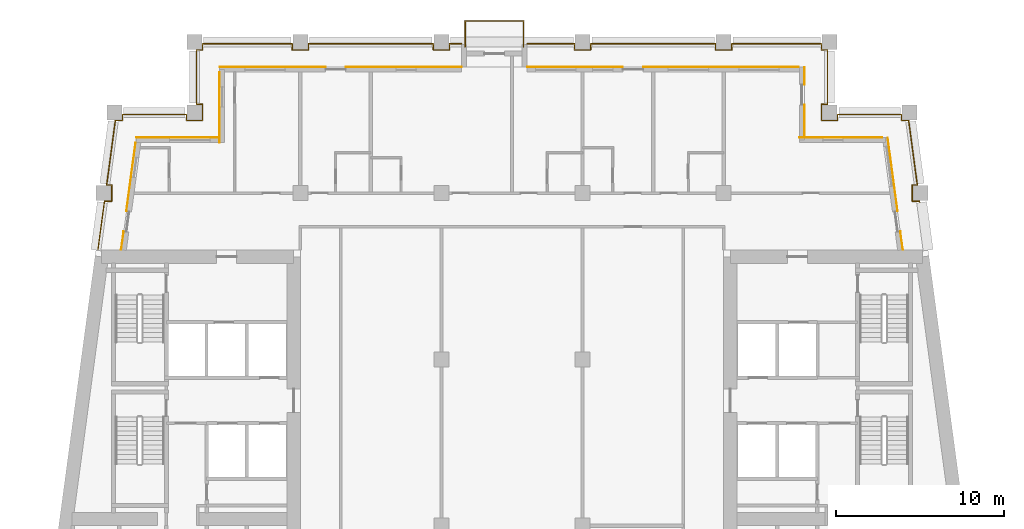
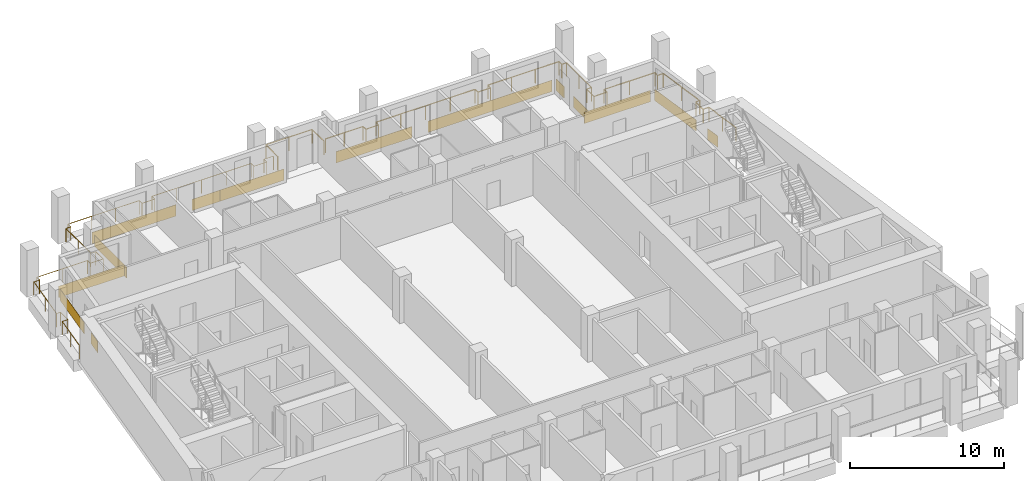
# One storey, part 12 of 13: 14 coverings, 3 railings.
"""IFC4 building model written with IfcOpenShell, lengths in metres."""

from ifc_helpers import new_model, si_unit, direction, frame, origin, origin_2d, place, context, subcontext, project, spatial, rectangle, circle, extrude, material, layer, layer_set, type_object, element, save


model = new_model("IFC4")

# Units and contexts
model_context = context("Model", 3, precision=1e-05, world=origin(), true_north=direction((0.0, 1.0)))
body_context = subcontext(model_context, "Body", "Model", "MODEL_VIEW")
ifc_project = project(units=[si_unit("LENGTHUNIT", "METRE"), si_unit("AREAUNIT", "SQUARE_METRE"), si_unit("VOLUMEUNIT", "CUBIC_METRE"), si_unit("PLANEANGLEUNIT", "RADIAN"), si_unit("MASSUNIT", "GRAM", prefix="KILO")], contexts=[model_context])

# Site, building, storey
site_placement = place(None, origin())
site = spatial("IfcSite", under=ifc_project, at=site_placement, CompositionType="ELEMENT")
building_placement = place(site_placement, origin())
building = spatial("IfcBuilding", under=site, at=building_placement, Name="Candeia Pilgrim Tower and Theatre", CompositionType="ELEMENT")
storey_placement = place(building_placement, frame((0.0, 0.0, 202.199951171875)))
storey = spatial("IfcBuildingStorey", under=building, at=storey_placement, Name="L48", CompositionType="ELEMENT", Elevation=202.199951171875)

# Railings
ifc_material_1 = material(Name="Stainless steel balustrade", Category="steel")
railing_type = type_object("IfcRailingType", Name="G1 loggia guard 1100", PredefinedType="GUARDRAIL", material=ifc_material_1)
railing_1_placement = place(storey_placement, frame((88.758544921875, 132.449951171875, 0.0)))
element("IfcRailing", 1, at=railing_1_placement, inside=storey, type_object=railing_type, Name="Guard L48.2", PredefinedType="GUARDRAIL", context=body_context, shape_type="SweptSolid", body=[
    extrude(circle(Radius=0.02392578125, at=origin_2d()), frame((0.0, 0.0, 1.076171875), z_axis=(0.133450228179, 0.991055516406, 0.0), x_axis=(-0.991055516406, 0.133450228179, 0.0)), (0.0, 0.0, 1.0), 2.89599609375),
    extrude(circle(Radius=0.02392578125, at=origin_2d()), frame((0.386474609375, 2.8701171875, 1.076171875), z_axis=(1.0, 0.0, 0.0), x_axis=(0.0, 1.0, 0.0)), (0.0, 0.0, 1.0), 0.42333984375),
    extrude(circle(Radius=0.02392578125, at=origin_2d()), frame((0.809814453125, 2.8701171875, 1.076171875), z_axis=(0.0, 1.0, 0.0), x_axis=(-1.0, 0.0, 0.0)), (0.0, 0.0, 1.0), 0.9599609375),
    extrude(circle(Radius=0.02392578125, at=origin_2d()), frame((0.809814453125, 3.830078125, 1.076171875), z_axis=(-1.0, 0.0, 0.0), x_axis=(0.0, -1.0, 0.0)), (0.0, 0.0, 1.0), 0.294189453125),
    extrude(circle(Radius=0.02392578125, at=origin_2d()), frame((0.515625, 3.830078125, 1.076171875), z_axis=(0.133389399471, 0.991063705374, 0.0), x_axis=(-0.991063705374, 0.133389399471, 0.0)), (0.0, 0.0, 1.0), 3.874755859375),
    extrude(circle(Radius=0.02392578125, at=origin_2d()), frame((1.032470703125, 7.670166015625, 1.076171875), z_axis=(1.0, 0.0, 0.0), x_axis=(0.0, 1.0, 0.0)), (0.0, 0.0, 1.0), 0.423583984375),
    extrude(circle(Radius=0.02392578125, at=origin_2d()), frame((1.4560546875, 7.670166015625, 1.076171875), z_axis=(0.0, 1.0, 0.0), x_axis=(-1.0, 0.0, 0.0)), (0.0, 0.0, 1.0), 0.35986328125),
    extrude(circle(Radius=0.02392578125, at=origin_2d()), frame((1.4560546875, 8.030029296875, 1.076171875), z_axis=(1.0, 0.0, 0.0), x_axis=(0.0, 1.0, 0.0)), (0.0, 0.0, 1.0), 3.805419921875),
    extrude(circle(Radius=0.02392578125, at=origin_2d()), frame((5.261474609375, 8.030029296875, 1.076171875), z_axis=(0.0, -1.0, 0.0), x_axis=(1.0, 0.0, 0.0)), (0.0, 0.0, 1.0), 0.35986328125),
    extrude(circle(Radius=0.02392578125, at=origin_2d()), frame((5.261474609375, 7.670166015625, 1.076171875), z_axis=(1.0, 0.0, 0.0), x_axis=(0.0, 1.0, 0.0)), (0.0, 0.0, 1.0), 0.9599609375),
    extrude(circle(Radius=0.02392578125, at=origin_2d()), frame((6.221435546875, 7.670166015625, 1.076171875), z_axis=(0.0, 1.0, 0.0), x_axis=(-1.0, 0.0, 0.0)), (0.0, 0.0, 1.0), 0.9599609375),
    extrude(circle(Radius=0.02392578125, at=origin_2d()), frame((6.221435546875, 8.630126953125, 1.076171875), z_axis=(-1.0, 0.0, 0.0), x_axis=(0.0, -1.0, 0.0)), (0.0, 0.0, 1.0), 0.35986328125),
    extrude(circle(Radius=0.02392578125, at=origin_2d()), frame((5.861572265625, 8.630126953125, 1.076171875), z_axis=(0.0, 1.0, 0.0), x_axis=(-1.0, 0.0, 0.0)), (0.0, 0.0, 1.0), 3.239990234375),
    extrude(circle(Radius=0.02392578125, at=origin_2d()), frame((5.861572265625, 11.8701171875, 1.076171875), z_axis=(1.0, 0.0, 0.0), x_axis=(0.0, 1.0, 0.0)), (0.0, 0.0, 1.0), 0.35986328125),
    extrude(circle(Radius=0.02392578125, at=origin_2d()), frame((6.221435546875, 11.8701171875, 1.076171875), z_axis=(0.0, 1.0, 0.0), x_axis=(-1.0, 0.0, 0.0)), (0.0, 0.0, 1.0), 0.35986328125),
    extrude(circle(Radius=0.02392578125, at=origin_2d()), frame((6.221435546875, 12.22998046875, 1.076171875), z_axis=(1.0, 0.0, 0.0), x_axis=(0.0, 1.0, 0.0)), (0.0, 0.0, 1.0), 5.340087890625),
    extrude(circle(Radius=0.02392578125, at=origin_2d()), frame((11.5615234375, 12.22998046875, 1.076171875), z_axis=(0.0, -1.0, 0.0), x_axis=(1.0, 0.0, 0.0)), (0.0, 0.0, 1.0), 0.35986328125),
    extrude(circle(Radius=0.02392578125, at=origin_2d()), frame((11.5615234375, 11.8701171875, 1.076171875), z_axis=(1.0, 0.0, 0.0), x_axis=(0.0, 1.0, 0.0)), (0.0, 0.0, 1.0), 0.9599609375),
    extrude(circle(Radius=0.02392578125, at=origin_2d()), frame((12.521484375, 11.8701171875, 1.076171875), z_axis=(0.0, 1.0, 0.0), x_axis=(-1.0, 0.0, 0.0)), (0.0, 0.0, 1.0), 0.35986328125),
    extrude(circle(Radius=0.02392578125, at=origin_2d()), frame((12.521484375, 12.22998046875, 1.076171875), z_axis=(1.0, 0.0, 0.0), x_axis=(0.0, 1.0, 0.0)), (0.0, 0.0, 1.0), 7.43994140625),
    extrude(circle(Radius=0.02392578125, at=origin_2d()), frame((19.96142578125, 12.22998046875, 1.076171875), z_axis=(0.0, -1.0, 0.0), x_axis=(1.0, 0.0, 0.0)), (0.0, 0.0, 1.0), 0.35986328125),
    extrude(circle(Radius=0.02392578125, at=origin_2d()), frame((19.96142578125, 11.8701171875, 1.076171875), z_axis=(1.0, 0.0, 0.0), x_axis=(0.0, 1.0, 0.0)), (0.0, 0.0, 1.0), 0.9599609375),
    extrude(circle(Radius=0.02392578125, at=origin_2d()), frame((20.92138671875, 11.8701171875, 1.076171875), z_axis=(0.0, 1.0, 0.0), x_axis=(-1.0, 0.0, 0.0)), (0.0, 0.0, 1.0), 0.35986328125),
    extrude(circle(Radius=0.02392578125, at=origin_2d()), frame((20.92138671875, 12.22998046875, 1.076171875), z_axis=(1.0, 0.0, 0.0), x_axis=(0.0, 1.0, 0.0)), (0.0, 0.0, 1.0), 0.719970703125),
    extrude(circle(Radius=0.02099609375, at=origin_2d()), origin(), (0.0, 0.0, 1.0), 1.052001953125),
    extrude(circle(Radius=0.02099609375, at=origin_2d()), frame((0.193359375, 1.43505859375, 0.0)), (0.0, 0.0, 1.0), 1.052001953125),
    extrude(circle(Radius=0.02099609375, at=origin_2d()), frame((0.386474609375, 2.8701171875, 0.0)), (0.0, 0.0, 1.0), 1.052001953125),
    extrude(circle(Radius=0.02099609375, at=origin_2d()), frame((0.809814453125, 2.8701171875, 0.0)), (0.0, 0.0, 1.0), 1.052001953125),
    extrude(circle(Radius=0.02099609375, at=origin_2d()), frame((0.809814453125, 3.830078125, 0.0)), (0.0, 0.0, 1.0), 1.052001953125),
    extrude(circle(Radius=0.02099609375, at=origin_2d()), frame((0.515625, 3.830078125, 0.0)), (0.0, 0.0, 1.0), 1.052001953125),
    extrude(circle(Radius=0.02099609375, at=origin_2d()), frame((0.77392578125, 5.75, 0.0)), (0.0, 0.0, 1.0), 1.052001953125),
    extrude(circle(Radius=0.02099609375, at=origin_2d()), frame((1.032470703125, 7.670166015625, 0.0)), (0.0, 0.0, 1.0), 1.052001953125),
    extrude(circle(Radius=0.02099609375, at=origin_2d()), frame((1.4560546875, 7.670166015625, 0.0)), (0.0, 0.0, 1.0), 1.052001953125),
    extrude(circle(Radius=0.02099609375, at=origin_2d()), frame((1.4560546875, 8.030029296875, 0.0)), (0.0, 0.0, 1.0), 1.052001953125),
    extrude(circle(Radius=0.02099609375, at=origin_2d()), frame((3.35888671875, 8.030029296875, 0.0)), (0.0, 0.0, 1.0), 1.052001953125),
    extrude(circle(Radius=0.02099609375, at=origin_2d()), frame((5.261474609375, 8.030029296875, 0.0)), (0.0, 0.0, 1.0), 1.052001953125),
    extrude(circle(Radius=0.02099609375, at=origin_2d()), frame((5.261474609375, 7.670166015625, 0.0)), (0.0, 0.0, 1.0), 1.052001953125),
    extrude(circle(Radius=0.02099609375, at=origin_2d()), frame((6.221435546875, 7.670166015625, 0.0)), (0.0, 0.0, 1.0), 1.052001953125),
    extrude(circle(Radius=0.02099609375, at=origin_2d()), frame((6.221435546875, 8.630126953125, 0.0)), (0.0, 0.0, 1.0), 1.052001953125),
    extrude(circle(Radius=0.02099609375, at=origin_2d()), frame((5.861572265625, 8.630126953125, 0.0)), (0.0, 0.0, 1.0), 1.052001953125),
    extrude(circle(Radius=0.02099609375, at=origin_2d()), frame((5.861572265625, 10.25, 0.0)), (0.0, 0.0, 1.0), 1.052001953125),
    extrude(circle(Radius=0.02099609375, at=origin_2d()), frame((5.861572265625, 11.8701171875, 0.0)), (0.0, 0.0, 1.0), 1.052001953125),
    extrude(circle(Radius=0.02099609375, at=origin_2d()), frame((6.221435546875, 11.8701171875, 0.0)), (0.0, 0.0, 1.0), 1.052001953125),
    extrude(circle(Radius=0.02099609375, at=origin_2d()), frame((6.221435546875, 12.22998046875, 0.0)), (0.0, 0.0, 1.0), 1.052001953125),
    extrude(circle(Radius=0.02099609375, at=origin_2d()), frame((8.00146484375, 12.22998046875, 0.0)), (0.0, 0.0, 1.0), 1.052001953125),
    extrude(circle(Radius=0.02099609375, at=origin_2d()), frame((9.781494140625, 12.22998046875, 0.0)), (0.0, 0.0, 1.0), 1.052001953125),
    extrude(circle(Radius=0.02099609375, at=origin_2d()), frame((11.5615234375, 12.22998046875, 0.0)), (0.0, 0.0, 1.0), 1.052001953125),
    extrude(circle(Radius=0.02099609375, at=origin_2d()), frame((11.5615234375, 11.8701171875, 0.0)), (0.0, 0.0, 1.0), 1.052001953125),
    extrude(circle(Radius=0.02099609375, at=origin_2d()), frame((12.521484375, 11.8701171875, 0.0)), (0.0, 0.0, 1.0), 1.052001953125),
    extrude(circle(Radius=0.02099609375, at=origin_2d()), frame((12.521484375, 12.22998046875, 0.0)), (0.0, 0.0, 1.0), 1.052001953125),
    extrude(circle(Radius=0.02099609375, at=origin_2d()), frame((14.38134765625, 12.22998046875, 0.0)), (0.0, 0.0, 1.0), 1.052001953125),
    extrude(circle(Radius=0.02099609375, at=origin_2d()), frame((16.241455078125, 12.22998046875, 0.0)), (0.0, 0.0, 1.0), 1.052001953125),
    extrude(circle(Radius=0.02099609375, at=origin_2d()), frame((18.1015625, 12.22998046875, 0.0)), (0.0, 0.0, 1.0), 1.052001953125),
    extrude(circle(Radius=0.02099609375, at=origin_2d()), frame((19.96142578125, 12.22998046875, 0.0)), (0.0, 0.0, 1.0), 1.052001953125),
    extrude(circle(Radius=0.02099609375, at=origin_2d()), frame((19.96142578125, 11.8701171875, 0.0)), (0.0, 0.0, 1.0), 1.052001953125),
    extrude(circle(Radius=0.02099609375, at=origin_2d()), frame((20.92138671875, 11.8701171875, 0.0)), (0.0, 0.0, 1.0), 1.052001953125),
    extrude(circle(Radius=0.02099609375, at=origin_2d()), frame((20.92138671875, 12.22998046875, 0.0)), (0.0, 0.0, 1.0), 1.052001953125),
    extrude(circle(Radius=0.02099609375, at=origin_2d()), frame((21.641357421875, 12.22998046875, 0.0)), (0.0, 0.0, 1.0), 1.052001953125),
])
railing_2_placement = place(storey_placement, frame((114.300048828125, 144.679931640625, 0.0)))
element("IfcRailing", 2, at=railing_2_placement, inside=storey, type_object=railing_type, Name="Guard L48.3", PredefinedType="GUARDRAIL", context=body_context, shape_type="SweptSolid", body=[
    extrude(circle(Radius=0.02392578125, at=origin_2d()), frame((0.0, 0.0, 1.076171875), z_axis=(1.0, 0.0, 0.0), x_axis=(0.0, 1.0, 0.0)), (0.0, 0.0, 1.0), 2.820068359375),
    extrude(circle(Radius=0.02392578125, at=origin_2d()), frame((2.820068359375, 0.0, 1.076171875), z_axis=(0.0, -1.0, 0.0), x_axis=(1.0, 0.0, 0.0)), (0.0, 0.0, 1.0), 0.35986328125),
    extrude(circle(Radius=0.02392578125, at=origin_2d()), frame((2.820068359375, -0.35986328125, 1.076171875), z_axis=(1.0, 0.0, 0.0), x_axis=(0.0, 1.0, 0.0)), (0.0, 0.0, 1.0), 0.9599609375),
    extrude(circle(Radius=0.02392578125, at=origin_2d()), frame((3.780029296875, -0.35986328125, 1.076171875), z_axis=(0.0, 1.0, 0.0), x_axis=(-1.0, 0.0, 0.0)), (0.0, 0.0, 1.0), 0.35986328125),
    extrude(circle(Radius=0.02392578125, at=origin_2d()), frame((3.780029296875, 0.0, 1.076171875), z_axis=(1.0, 0.0, 0.0), x_axis=(0.0, 1.0, 0.0)), (0.0, 0.0, 1.0), 7.43994140625),
    extrude(circle(Radius=0.02392578125, at=origin_2d()), frame((11.219970703125, 0.0, 1.076171875), z_axis=(0.0, -1.0, 0.0), x_axis=(1.0, 0.0, 0.0)), (0.0, 0.0, 1.0), 0.35986328125),
    extrude(circle(Radius=0.02392578125, at=origin_2d()), frame((11.219970703125, -0.35986328125, 1.076171875), z_axis=(1.0, 0.0, 0.0), x_axis=(0.0, 1.0, 0.0)), (0.0, 0.0, 1.0), 0.9599609375),
    extrude(circle(Radius=0.02392578125, at=origin_2d()), frame((12.179931640625, -0.35986328125, 1.076171875), z_axis=(0.0, 1.0, 0.0), x_axis=(-1.0, 0.0, 0.0)), (0.0, 0.0, 1.0), 0.35986328125),
    extrude(circle(Radius=0.02392578125, at=origin_2d()), frame((12.179931640625, 0.0, 1.076171875), z_axis=(1.0, 0.0, 0.0), x_axis=(0.0, 1.0, 0.0)), (0.0, 0.0, 1.0), 5.340087890625),
    extrude(circle(Radius=0.02392578125, at=origin_2d()), frame((17.52001953125, 0.0, 1.076171875), z_axis=(0.0, -1.0, 0.0), x_axis=(1.0, 0.0, 0.0)), (0.0, 0.0, 1.0), 0.35986328125),
    extrude(circle(Radius=0.02392578125, at=origin_2d()), frame((17.52001953125, -0.35986328125, 1.076171875), z_axis=(1.0, 0.0, 0.0), x_axis=(0.0, 1.0, 0.0)), (0.0, 0.0, 1.0), 0.35986328125),
    extrude(circle(Radius=0.02392578125, at=origin_2d()), frame((17.8798828125, -0.35986328125, 1.076171875), z_axis=(0.0, -1.0, 0.0), x_axis=(1.0, 0.0, 0.0)), (0.0, 0.0, 1.0), 3.239990234375),
    extrude(circle(Radius=0.02392578125, at=origin_2d()), frame((17.8798828125, -3.599853515625, 1.076171875), z_axis=(-1.0, 0.0, 0.0), x_axis=(0.0, -1.0, 0.0)), (0.0, 0.0, 1.0), 0.35986328125),
    extrude(circle(Radius=0.02392578125, at=origin_2d()), frame((17.52001953125, -3.599853515625, 1.076171875), z_axis=(0.0, -1.0, 0.0), x_axis=(1.0, 0.0, 0.0)), (0.0, 0.0, 1.0), 0.9599609375),
    extrude(circle(Radius=0.02392578125, at=origin_2d()), frame((17.52001953125, -4.559814453125, 1.076171875), z_axis=(1.0, 0.0, 0.0), x_axis=(0.0, 1.0, 0.0)), (0.0, 0.0, 1.0), 0.9599609375),
    extrude(circle(Radius=0.02392578125, at=origin_2d()), frame((18.47998046875, -4.559814453125, 1.076171875), z_axis=(0.0, 1.0, 0.0), x_axis=(-1.0, 0.0, 0.0)), (0.0, 0.0, 1.0), 0.35986328125),
    extrude(circle(Radius=0.02392578125, at=origin_2d()), frame((18.47998046875, -4.199951171875, 1.076171875), z_axis=(1.0, 0.0, 0.0), x_axis=(0.0, 1.0, 0.0)), (0.0, 0.0, 1.0), 3.805419921875),
    extrude(circle(Radius=0.02392578125, at=origin_2d()), frame((22.285400390625, -4.199951171875, 1.076171875), z_axis=(0.0, -1.0, 0.0), x_axis=(1.0, 0.0, 0.0)), (0.0, 0.0, 1.0), 0.35986328125),
    extrude(circle(Radius=0.02392578125, at=origin_2d()), frame((22.285400390625, -4.559814453125, 1.076171875), z_axis=(1.0, 0.0, 0.0), x_axis=(0.0, 1.0, 0.0)), (0.0, 0.0, 1.0), 0.423583984375),
    extrude(circle(Radius=0.02392578125, at=origin_2d()), frame((22.708984375, -4.559814453125, 1.076171875), z_axis=(0.133389399471, -0.991063705374, 0.0), x_axis=(0.991063705374, 0.133389399471, 0.0)), (0.0, 0.0, 1.0), 3.874755859375),
    extrude(circle(Radius=0.02392578125, at=origin_2d()), frame((23.225830078125, -8.39990234375, 1.076171875), z_axis=(-1.0, 0.0, 0.0), x_axis=(0.0, -1.0, 0.0)), (0.0, 0.0, 1.0), 0.29443359375),
    extrude(circle(Radius=0.02392578125, at=origin_2d()), frame((22.931396484375, -8.39990234375, 1.076171875), z_axis=(0.0, -1.0, 0.0), x_axis=(1.0, 0.0, 0.0)), (0.0, 0.0, 1.0), 0.9599609375),
    extrude(circle(Radius=0.02392578125, at=origin_2d()), frame((22.931396484375, -9.35986328125, 1.076171875), z_axis=(1.0, 0.0, 0.0), x_axis=(0.0, 1.0, 0.0)), (0.0, 0.0, 1.0), 0.423583984375),
    extrude(circle(Radius=0.02392578125, at=origin_2d()), frame((23.35498046875, -9.35986328125, 1.076171875), z_axis=(0.133450228179, -0.991055516406, 0.0), x_axis=(0.991055516406, 0.133450228179, 0.0)), (0.0, 0.0, 1.0), 2.89599609375),
    extrude(circle(Radius=0.02099609375, at=origin_2d()), origin(), (0.0, 0.0, 1.0), 1.052001953125),
    extrude(circle(Radius=0.02099609375, at=origin_2d()), frame((1.41015625, 0.0, 0.0)), (0.0, 0.0, 1.0), 1.052001953125),
    extrude(circle(Radius=0.02099609375, at=origin_2d()), frame((2.820068359375, 0.0, 0.0)), (0.0, 0.0, 1.0), 1.052001953125),
    extrude(circle(Radius=0.02099609375, at=origin_2d()), frame((2.820068359375, -0.35986328125, 0.0)), (0.0, 0.0, 1.0), 1.052001953125),
    extrude(circle(Radius=0.02099609375, at=origin_2d()), frame((3.780029296875, -0.35986328125, 0.0)), (0.0, 0.0, 1.0), 1.052001953125),
    extrude(circle(Radius=0.02099609375, at=origin_2d()), frame((3.780029296875, 0.0, 0.0)), (0.0, 0.0, 1.0), 1.052001953125),
    extrude(circle(Radius=0.02099609375, at=origin_2d()), frame((5.64013671875, 0.0, 0.0)), (0.0, 0.0, 1.0), 1.052001953125),
    extrude(circle(Radius=0.02099609375, at=origin_2d()), frame((7.5, 0.0, 0.0)), (0.0, 0.0, 1.0), 1.052001953125),
    extrude(circle(Radius=0.02099609375, at=origin_2d()), frame((9.35986328125, 0.0, 0.0)), (0.0, 0.0, 1.0), 1.052001953125),
    extrude(circle(Radius=0.02099609375, at=origin_2d()), frame((11.219970703125, 0.0, 0.0)), (0.0, 0.0, 1.0), 1.052001953125),
    extrude(circle(Radius=0.02099609375, at=origin_2d()), frame((11.219970703125, -0.35986328125, 0.0)), (0.0, 0.0, 1.0), 1.052001953125),
    extrude(circle(Radius=0.02099609375, at=origin_2d()), frame((12.179931640625, -0.35986328125, 0.0)), (0.0, 0.0, 1.0), 1.052001953125),
    extrude(circle(Radius=0.02099609375, at=origin_2d()), frame((12.179931640625, 0.0, 0.0)), (0.0, 0.0, 1.0), 1.052001953125),
    extrude(circle(Radius=0.02099609375, at=origin_2d()), frame((13.9599609375, 0.0, 0.0)), (0.0, 0.0, 1.0), 1.052001953125),
    extrude(circle(Radius=0.02099609375, at=origin_2d()), frame((15.739990234375, 0.0, 0.0)), (0.0, 0.0, 1.0), 1.052001953125),
    extrude(circle(Radius=0.02099609375, at=origin_2d()), frame((17.52001953125, 0.0, 0.0)), (0.0, 0.0, 1.0), 1.052001953125),
    extrude(circle(Radius=0.02099609375, at=origin_2d()), frame((17.52001953125, -0.35986328125, 0.0)), (0.0, 0.0, 1.0), 1.052001953125),
    extrude(circle(Radius=0.02099609375, at=origin_2d()), frame((17.8798828125, -0.35986328125, 0.0)), (0.0, 0.0, 1.0), 1.052001953125),
    extrude(circle(Radius=0.02099609375, at=origin_2d()), frame((17.8798828125, -1.97998046875, 0.0)), (0.0, 0.0, 1.0), 1.052001953125),
    extrude(circle(Radius=0.02099609375, at=origin_2d()), frame((17.8798828125, -3.599853515625, 0.0)), (0.0, 0.0, 1.0), 1.052001953125),
    extrude(circle(Radius=0.02099609375, at=origin_2d()), frame((17.52001953125, -3.599853515625, 0.0)), (0.0, 0.0, 1.0), 1.052001953125),
    extrude(circle(Radius=0.02099609375, at=origin_2d()), frame((17.52001953125, -4.559814453125, 0.0)), (0.0, 0.0, 1.0), 1.052001953125),
    extrude(circle(Radius=0.02099609375, at=origin_2d()), frame((18.47998046875, -4.559814453125, 0.0)), (0.0, 0.0, 1.0), 1.052001953125),
    extrude(circle(Radius=0.02099609375, at=origin_2d()), frame((18.47998046875, -4.199951171875, 0.0)), (0.0, 0.0, 1.0), 1.052001953125),
    extrude(circle(Radius=0.02099609375, at=origin_2d()), frame((20.3828125, -4.199951171875, 0.0)), (0.0, 0.0, 1.0), 1.052001953125),
    extrude(circle(Radius=0.02099609375, at=origin_2d()), frame((22.285400390625, -4.199951171875, 0.0)), (0.0, 0.0, 1.0), 1.052001953125),
    extrude(circle(Radius=0.02099609375, at=origin_2d()), frame((22.285400390625, -4.559814453125, 0.0)), (0.0, 0.0, 1.0), 1.052001953125),
    extrude(circle(Radius=0.02099609375, at=origin_2d()), frame((22.708984375, -4.559814453125, 0.0)), (0.0, 0.0, 1.0), 1.052001953125),
    extrude(circle(Radius=0.02099609375, at=origin_2d()), frame((22.96728515625, -6.47998046875, 0.0)), (0.0, 0.0, 1.0), 1.052001953125),
    extrude(circle(Radius=0.02099609375, at=origin_2d()), frame((23.225830078125, -8.39990234375, 0.0)), (0.0, 0.0, 1.0), 1.052001953125),
    extrude(circle(Radius=0.02099609375, at=origin_2d()), frame((22.931396484375, -8.39990234375, 0.0)), (0.0, 0.0, 1.0), 1.052001953125),
    extrude(circle(Radius=0.02099609375, at=origin_2d()), frame((22.931396484375, -9.35986328125, 0.0)), (0.0, 0.0, 1.0), 1.052001953125),
    extrude(circle(Radius=0.02099609375, at=origin_2d()), frame((23.35498046875, -9.35986328125, 0.0)), (0.0, 0.0, 1.0), 1.052001953125),
    extrude(circle(Radius=0.02099609375, at=origin_2d()), frame((23.54833984375, -10.794921875, 0.0)), (0.0, 0.0, 1.0), 1.052001953125),
    extrude(circle(Radius=0.02099609375, at=origin_2d()), frame((23.741455078125, -12.22998046875, 0.0)), (0.0, 0.0, 1.0), 1.052001953125),
])
railing_3_placement = place(storey_placement, frame((110.610107421875, 144.5, 0.0)))
element("IfcRailing", 3, at=railing_3_placement, inside=storey, type_object=railing_type, Name="Balcony guard L48", PredefinedType="GUARDRAIL", context=body_context, shape_type="SweptSolid", body=[
    extrude(circle(Radius=0.02392578125, at=origin_2d()), frame((0.0, 0.0, 1.076171875), z_axis=(0.0, 1.0, 0.0), x_axis=(-1.0, 0.0, 0.0)), (0.0, 0.0, 1.0), 1.5400390625),
    extrude(circle(Radius=0.02392578125, at=origin_2d()), frame((0.0, 1.5400390625, 1.076171875), z_axis=(1.0, 0.0, 0.0), x_axis=(0.0, 1.0, 0.0)), (0.0, 0.0, 1.0), 3.47998046875),
    extrude(circle(Radius=0.02392578125, at=origin_2d()), frame((3.47998046875, 1.5400390625, 1.076171875), z_axis=(0.0, -1.0, 0.0), x_axis=(1.0, 0.0, 0.0)), (0.0, 0.0, 1.0), 1.5400390625),
    extrude(circle(Radius=0.02099609375, at=origin_2d()), origin(), (0.0, 0.0, 1.0), 1.052001953125),
    extrude(circle(Radius=0.02099609375, at=origin_2d()), frame((0.0, 1.5400390625, 0.0)), (0.0, 0.0, 1.0), 1.052001953125),
    extrude(circle(Radius=0.02099609375, at=origin_2d()), frame((1.739990234375, 1.5400390625, 0.0)), (0.0, 0.0, 1.0), 1.052001953125),
    extrude(circle(Radius=0.02099609375, at=origin_2d()), frame((3.47998046875, 1.5400390625, 0.0)), (0.0, 0.0, 1.0), 1.052001953125),
    extrude(circle(Radius=0.02099609375, at=origin_2d()), frame((3.47998046875, 0.0, 0.0)), (0.0, 0.0, 1.0), 1.052001953125),
])

# Coverings
ifc_material_2 = material(Name="Glazed ceramic tile bottle green")
ifc_layer_1 = layer(ifc_material_2, 0.02001953125)
ifc_layer_set_1 = layer_set([ifc_layer_1], Name="Glazed ceramic tile bottle green")
covering_type_1 = type_object("IfcCoveringType", Name="Glazed ceramic tile bottle green", PredefinedType="CLADDING", material=ifc_layer_set_1)
covering_1_placement = place(storey_placement, frame((136.588623046875, 132.97412109375, 0.0), z_axis=(0.0, 0.0, 1.0), x_axis=(-0.133412012145, 0.991060661622, 0.0)))
element("IfcCovering", 4, at=covering_1_placement, inside=storey, type_object=covering_type_1, Name="Tile cladding bottle green L48", PredefinedType="CLADDING", context=body_context, shape_type="SweptSolid", body=[
    extrude(rectangle(XDim=1.115234375, YDim=0.02001953125, at=origin_2d()), origin(), (0.0, 0.0, 1.0), 0.89990234375),
])
covering_2_placement = place(storey_placement, frame((136.058837890625, 136.90869140625, 0.0), z_axis=(0.0, 0.0, 1.0), x_axis=(-0.133412012145, 0.991060661622, 0.0)))
element("IfcCovering", 5, at=covering_2_placement, inside=storey, type_object=covering_type_1, Name="Tile cladding bottle green L48", PredefinedType="CLADDING", context=body_context, shape_type="SweptSolid", body=[
    extrude(rectangle(XDim=4.4248046875, YDim=0.02001953125, at=origin_2d()), origin(), (0.0, 0.0, 1.0), 0.89990234375),
])
covering_3_placement = place(storey_placement, frame((132.976318359375, 139.110107421875, 0.0), z_axis=(0.0, 0.0, 1.0), x_axis=(-1.0, 0.0, 0.0)))
element("IfcCovering", 6, at=covering_3_placement, inside=storey, type_object=covering_type_1, Name="Tile cladding bottle green L48", PredefinedType="CLADDING", context=body_context, shape_type="SweptSolid", body=[
    extrude(rectangle(XDim=4.95263671875, YDim=0.02001953125, at=origin_2d()), origin(), (0.0, 0.0, 1.0), 0.89990234375),
])
covering_4_placement = place(storey_placement, frame((130.81005859375, 140.0849609375, 0.0), z_axis=(0.0, 0.0, 1.0), x_axis=(0.0, 1.0, 0.0)))
element("IfcCovering", 7, at=covering_4_placement, inside=storey, type_object=covering_type_1, Name="Tile cladding bottle green L48", PredefinedType="CLADDING", context=body_context, shape_type="SweptSolid", body=[
    extrude(rectangle(XDim=1.929931640625, YDim=0.02001953125, at=origin_2d()), origin(), (0.0, 0.0, 1.0), 0.89990234375),
])
covering_5_placement = place(storey_placement, frame((130.81005859375, 142.77490234375, 0.0), z_axis=(0.0, 0.0, 1.0), x_axis=(0.0, 1.0, 0.0)))
element("IfcCovering", 8, at=covering_5_placement, inside=storey, type_object=covering_type_1, Name="Tile cladding bottle green L48", PredefinedType="CLADDING", context=body_context, shape_type="SweptSolid", body=[
    extrude(rectangle(XDim=1.050048828125, YDim=0.02001953125, at=origin_2d()), origin(), (0.0, 0.0, 1.0), 0.89990234375),
])
covering_6_placement = place(storey_placement, frame((125.840087890625, 143.31005859375, 0.0), z_axis=(0.0, 0.0, 1.0), x_axis=(-1.0, 0.0, 0.0)))
element("IfcCovering", 9, at=covering_6_placement, inside=storey, type_object=covering_type_1, Name="Tile cladding bottle green L48", PredefinedType="CLADDING", context=body_context, shape_type="SweptSolid", body=[
    extrude(rectangle(XDim=9.280029296875, YDim=0.02001953125, at=origin_2d()), origin(), (0.0, 0.0, 1.0), 0.89990234375),
])
covering_7_placement = place(storey_placement, frame((117.14990234375, 143.31005859375, 0.0), z_axis=(0.0, 0.0, 1.0), x_axis=(-1.0, 0.0, 0.0)))
element("IfcCovering", 10, at=covering_7_placement, inside=storey, type_object=covering_type_1, Name="Tile cladding bottle green L48", PredefinedType="CLADDING", context=body_context, shape_type="SweptSolid", body=[
    extrude(rectangle(XDim=5.699951171875, YDim=0.02001953125, at=origin_2d()), origin(), (0.0, 0.0, 1.0), 0.89990234375),
])
covering_8_placement = place(storey_placement, frame((108.0, 143.31005859375, 0.0), z_axis=(0.0, 0.0, 1.0), x_axis=(-1.0, 0.0, 0.0)))
element("IfcCovering", 11, at=covering_8_placement, inside=storey, type_object=covering_type_1, Name="Tile cladding bottle green L48", PredefinedType="CLADDING", context=body_context, shape_type="SweptSolid", body=[
    extrude(rectangle(XDim=4.800048828125, YDim=0.02001953125, at=origin_2d()), origin(), (0.0, 0.0, 1.0), 0.89990234375),
])
covering_9_placement = place(storey_placement, frame((95.989990234375, 140.889892578125, 0.0), z_axis=(0.0, 0.0, 1.0), x_axis=(0.0, -1.0, 0.0)))
element("IfcCovering", 12, at=covering_9_placement, inside=storey, type_object=covering_type_1, Name="Tile cladding bottle green L48", PredefinedType="CLADDING", context=body_context, shape_type="SweptSolid", body=[
    extrude(rectangle(XDim=4.179931640625, YDim=0.02001953125, at=origin_2d()), origin(), (0.0, 0.0, 1.0), 0.89990234375),
])
covering_10_placement = place(storey_placement, frame((90.720947265625, 136.759521484375, 0.0), z_axis=(0.0, 0.0, 1.0), x_axis=(-0.133412012145, -0.991060661622, 0.0)))
element("IfcCovering", 13, at=covering_10_placement, inside=storey, type_object=covering_type_1, Name="Tile cladding bottle green L48", PredefinedType="CLADDING", context=body_context, shape_type="SweptSolid", body=[
    extrude(rectangle(XDim=4.123779296875, YDim=0.02001953125, at=origin_2d()), origin(), (0.0, 0.0, 1.0), 0.89990234375),
])
covering_11_placement = place(storey_placement, frame((90.21142578125, 132.97412109375, 0.0), z_axis=(0.0, 0.0, 1.0), x_axis=(-0.133412012145, -0.991060661622, 0.0)))
element("IfcCovering", 14, at=covering_11_placement, inside=storey, type_object=covering_type_1, Name="Tile cladding bottle green L48", PredefinedType="CLADDING", context=body_context, shape_type="SweptSolid", body=[
    extrude(rectangle(XDim=1.115234375, YDim=0.02001953125, at=origin_2d()), origin(), (0.0, 0.0, 1.0), 0.89990234375),
])
ifc_material_3 = material(Name="Glazed ceramic tile rust")
ifc_layer_2 = layer(ifc_material_3, 0.02001953125)
ifc_layer_set_2 = layer_set([ifc_layer_2], Name="Glazed ceramic tile rust")
covering_type_2 = type_object("IfcCoveringType", Name="Glazed ceramic tile rust", PredefinedType="CLADDING", material=ifc_layer_set_2)
covering_12_placement = place(storey_placement, frame((104.550048828125, 143.31005859375, 0.0), z_axis=(0.0, 0.0, 1.0), x_axis=(-1.0, 0.0, 0.0)))
element("IfcCovering", 15, at=covering_12_placement, inside=storey, type_object=covering_type_2, Name="Tile cladding rust L48", PredefinedType="CLADDING", context=body_context, shape_type="SweptSolid", body=[
    extrude(rectangle(XDim=2.10009765625, YDim=0.02001953125, at=origin_2d()), origin(), (0.0, 0.0, 1.0), 0.89990234375),
])
covering_13_placement = place(storey_placement, frame((99.14990234375, 143.31005859375, 0.0), z_axis=(0.0, 0.0, 1.0), x_axis=(-1.0, 0.0, 0.0)))
element("IfcCovering", 16, at=covering_13_placement, inside=storey, type_object=covering_type_2, Name="Tile cladding rust L48", PredefinedType="CLADDING", context=body_context, shape_type="SweptSolid", body=[
    extrude(rectangle(XDim=6.300048828125, YDim=0.02001953125, at=origin_2d()), origin(), (0.0, 0.0, 1.0), 0.89990234375),
])
covering_14_placement = place(storey_placement, frame((93.51318359375, 139.110107421875, 0.0), z_axis=(0.0, 0.0, 1.0), x_axis=(-1.0, 0.0, 0.0)))
element("IfcCovering", 17, at=covering_14_placement, inside=storey, type_object=covering_type_2, Name="Tile cladding rust L48", PredefinedType="CLADDING", context=body_context, shape_type="SweptSolid", body=[
    extrude(rectangle(XDim=4.933837890625, YDim=0.02001953125, at=origin_2d()), origin(), (0.0, 0.0, 1.0), 0.89990234375),
])

save(model, "model.ifc")
